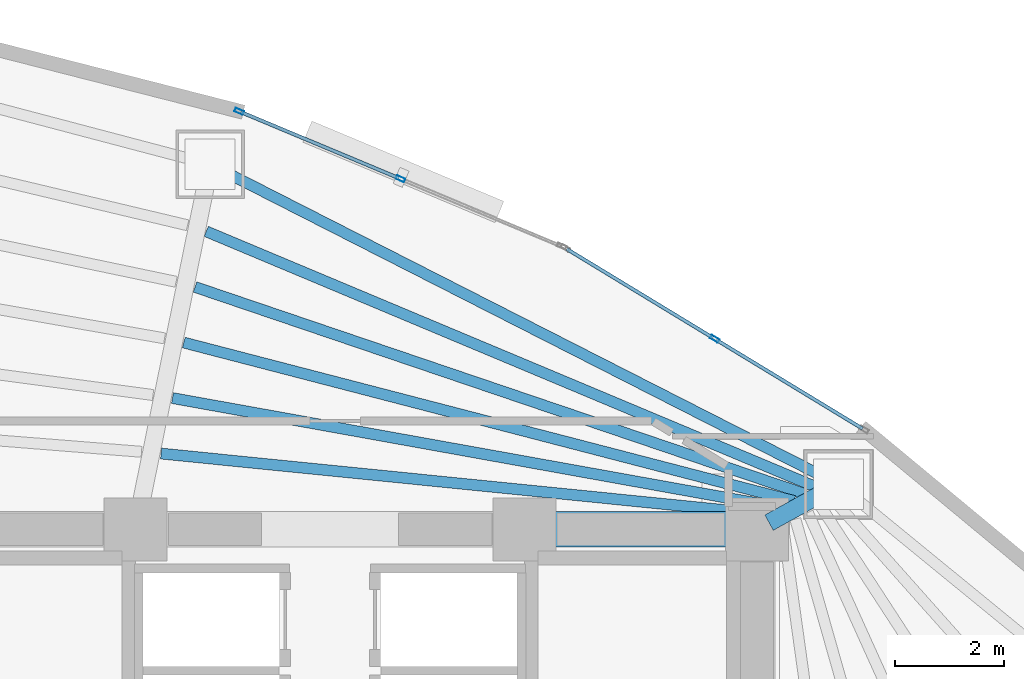
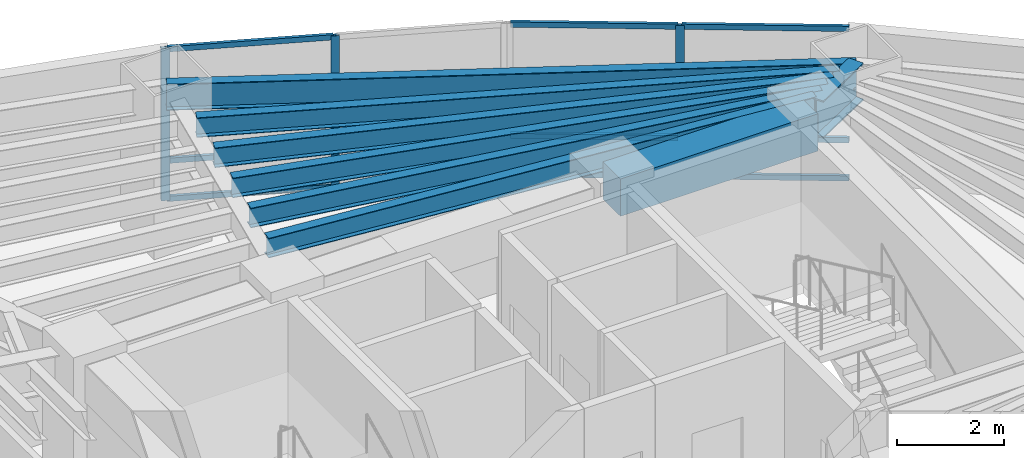
# One storey, part 9 of 16: 12 members, 8 beams, 2 elements without a shape of their own.
"""IFC4 building model written with IfcOpenShell, lengths in metres."""

from ifc_helpers import new_model, si_unit, direction, frame, origin, origin_2d, place, context, subcontext, project, spatial, rectangle, hollow_rectangle, i_section, extrude, material, layer, layer_set, material_profile, profile_set, type_object, element, aggregate, save


model = new_model("IFC4")

# Units and contexts
model_context = context("Model", 3, precision=1e-05, world=origin(), true_north=direction((0.0, 1.0)))
body_context = subcontext(model_context, "Body", "Model", "MODEL_VIEW")
ifc_project = project(units=[si_unit("LENGTHUNIT", "METRE"), si_unit("AREAUNIT", "SQUARE_METRE"), si_unit("VOLUMEUNIT", "CUBIC_METRE"), si_unit("PLANEANGLEUNIT", "RADIAN"), si_unit("MASSUNIT", "GRAM", prefix="KILO")], contexts=[model_context])

# Site, building, storey
site_placement = place(None, origin())
site = spatial("IfcSite", under=ifc_project, at=site_placement, CompositionType="ELEMENT")
building_placement = place(site_placement, origin())
building = spatial("IfcBuilding", under=site, at=building_placement, Name="Menara Vayukalpa", CompositionType="ELEMENT")
storey_placement = place(building_placement, frame((0.0, 0.0, 72.239990234375)))
storey = spatial("IfcBuildingStorey", under=building, at=storey_placement, Name="L17", CompositionType="ELEMENT", Elevation=72.239990234375)

# Beams
ifc_material_1 = material(Name="Concrete C60/75", Category="concrete")
ifc_material_profile_1 = material_profile(ifc_material_1, rectangle(XDim=0.64990234375, YDim=0.85009765625, at=origin_2d()), Name="RC 650x850")
ifc_profile_set_1 = profile_set([ifc_material_profile_1], Name="Concrete C60/75")
beam_type_1 = type_object("IfcBeamType", Name="BM-CB1", PredefinedType="BEAM", material=ifc_profile_set_1)
beam_1_placement = place(storey_placement, frame((29.14990234375, 26.800048828125, 3.044921875), z_axis=(1.0, 0.0, 0.0), x_axis=(0.0, 1.0, 0.0)))
element("IfcBeam", 1, at=beam_1_placement, inside=storey, type_object=beam_type_1, Name="L17 Core Tie Beam CBR6", PredefinedType="BEAM", context=body_context, shape_type="SweptSolid", body=[
    extrude(rectangle(XDim=0.64990234375, YDim=0.85009765625, at=origin_2d()), origin(), (0.0, 0.0, 1.0), 4.25),
])
ifc_material_2 = material(Name="Steel S355", Category="steel")
ifc_material_profile_2 = material_profile(ifc_material_2, i_section(OverallWidth=0.320068359375, OverallDepth=0.85009765625, WebThickness=0.01611328125, FlangeThickness=0.030029296875, at=origin_2d()), Name="WF 850x320x16x30")
ifc_profile_set_2 = profile_set([ifc_material_profile_2], Name="Steel S355")
beam_type_2 = type_object("IfcBeamType", Name="BM-PG2", PredefinedType="BEAM", material=ifc_profile_set_2)
beam_2_placement = place(storey_placement, frame((33.618896484375, 26.9208984375, 3.044921875), z_axis=(0.875228391676, 0.48370989488, 0.0), x_axis=(-0.48370989488, 0.875228391676, 0.0)))
element("IfcBeam", 2, at=beam_2_placement, inside=storey, type_object=beam_type_2, Name="L17 Primary Radial Girder RG02", PredefinedType="BEAM", context=body_context, shape_type="SweptSolid", body=[
    extrude(i_section(OverallWidth=0.320068359375, OverallDepth=0.85009765625, WebThickness=0.01611328125, FlangeThickness=0.030029296875, at=origin_2d()), origin(), (0.0, 0.0, 1.0), 1.448486328125),
])
ifc_material_3 = material(Name="Steel S355", Category="steel")
ifc_material_profile_3 = material_profile(ifc_material_3, i_section(OverallWidth=0.199951171875, OverallDepth=0.449951171875, WebThickness=0.009033203125, FlangeThickness=0.013916015625, at=origin_2d()), Name="WF 450x200x9x14")
ifc_profile_set_3 = profile_set([ifc_material_profile_3], Name="Steel S355")
beam_type_3 = type_object("IfcBeamType", Name="BM-SJ1", PredefinedType="JOIST", material=ifc_profile_set_3)
beam_3_placement = place(storey_placement, frame((33.66796875, 27.06494140625, 3.2451171875), z_axis=(-0.995012360471, 0.0997517043, 0.0), x_axis=(-0.0997517043, -0.995012360471, 0.0)))
element("IfcBeam", 3, at=beam_3_placement, inside=storey, type_object=beam_type_3, Name="L17 Secondary Floor Joist SJ02-1", PredefinedType="JOIST", context=body_context, shape_type="SweptSolid", body=[
    extrude(i_section(OverallWidth=0.199951171875, OverallDepth=0.449951171875, WebThickness=0.009033203125, FlangeThickness=0.013916015625, at=origin_2d()), origin(), (0.0, 0.0, 1.0), 11.20947265625),
])
beam_4_placement = place(storey_placement, frame((33.872802734375, 27.19091796875, 3.2451171875), z_axis=(-0.984203304908, 0.177041957199, 0.0), x_axis=(-0.177041957199, -0.984203304908, 0.0)))
element("IfcBeam", 4, at=beam_4_placement, inside=storey, type_object=beam_type_3, Name="L17 Secondary Floor Joist SJ02-2", PredefinedType="JOIST", context=body_context, shape_type="SweptSolid", body=[
    extrude(i_section(OverallWidth=0.199951171875, OverallDepth=0.449951171875, WebThickness=0.009033203125, FlangeThickness=0.013916015625, at=origin_2d()), origin(), (0.0, 0.0, 1.0), 11.329833984375),
])
beam_5_placement = place(storey_placement, frame((34.07861328125, 27.31640625, 3.2451171875), z_axis=(-0.9679190538, 0.25126222416, 0.0), x_axis=(-0.25126222416, -0.9679190538, 0.0)))
element("IfcBeam", 5, at=beam_5_placement, inside=storey, type_object=beam_type_3, Name="L17 Secondary Floor Joist SJ02-3", PredefinedType="JOIST", context=body_context, shape_type="SweptSolid", body=[
    extrude(i_section(OverallWidth=0.199951171875, OverallDepth=0.449951171875, WebThickness=0.009033203125, FlangeThickness=0.013916015625, at=origin_2d()), origin(), (0.0, 0.0, 1.0), 11.52001953125),
])
beam_6_placement = place(storey_placement, frame((34.28515625, 27.44140625, 3.2451171875), z_axis=(-0.946954817661, 0.321366727134, 0.0), x_axis=(-0.321366727134, -0.946954817661, 0.0)))
element("IfcBeam", 6, at=beam_6_placement, inside=storey, type_object=beam_type_3, Name="L17 Secondary Floor Joist SJ02-4", PredefinedType="JOIST", context=body_context, shape_type="SweptSolid", body=[
    extrude(i_section(OverallWidth=0.199951171875, OverallDepth=0.449951171875, WebThickness=0.009033203125, FlangeThickness=0.013916015625, at=origin_2d()), origin(), (0.0, 0.0, 1.0), 11.776123046875),
])
beam_7_placement = place(storey_placement, frame((34.49267578125, 27.565185546875, 3.2451171875), z_axis=(-0.922223639508, 0.386656900536, 0.0), x_axis=(-0.386656900536, -0.922223639508, 0.0)))
element("IfcBeam", 7, at=beam_7_placement, inside=storey, type_object=beam_type_3, Name="L17 Secondary Floor Joist SJ02-5", PredefinedType="JOIST", context=body_context, shape_type="SweptSolid", body=[
    extrude(i_section(OverallWidth=0.199951171875, OverallDepth=0.449951171875, WebThickness=0.009033203125, FlangeThickness=0.013916015625, at=origin_2d()), origin(), (0.0, 0.0, 1.0), 12.0947265625),
])
ifc_material_4 = material(Name="Steel S355", Category="steel")
ifc_material_profile_4 = material_profile(ifc_material_4, i_section(OverallWidth=0.199951171875, OverallDepth=0.60009765625, WebThickness=0.010986328125, FlangeThickness=0.01708984375, at=origin_2d()), Name="WF 600x200x11x17")
ifc_profile_set_4 = profile_set([ifc_material_profile_4], Name="Steel S355")
beam_type_4 = type_object("IfcBeamType", Name="BM-SP1", PredefinedType="SPANDREL", material=ifc_profile_set_4)
beam_8_placement = place(storey_placement, frame((34.88671875, 27.62158203125, 3.169921875), z_axis=(-0.891097345221, 0.453812209333, 0.0), x_axis=(-0.453812209333, -0.891097345221, 0.0)))
element("IfcBeam", 8, at=beam_8_placement, inside=storey, type_object=beam_type_4, Name="L17 Perimeter Spandrel Beam SP02", PredefinedType="SPANDREL", context=body_context, shape_type="SweptSolid", body=[
    extrude(i_section(OverallWidth=0.199951171875, OverallDepth=0.60009765625, WebThickness=0.010986328125, FlangeThickness=0.01708984375, at=origin_2d()), origin(), (0.0, 0.0, 1.0), 12.88134765625),
])

# Curtain wall, member
ifc_material_5 = material(Name="Anodised Terracotta Aluminium Alloy 6063-T6", Category="masonry")
ifc_layer = layer(ifc_material_5, 0.1650390625)
ifc_layer_set = layer_set([ifc_layer], Name="Anodised Terracotta Aluminium Alloy 6063-T6")
curtain_wall_type = type_object("IfcCurtainWallType", Name="CW-CW2", PredefinedType="USERDEFINED", material=ifc_layer_set)
curtain_wall_1_placement = place(storey_placement, origin())
curtain_wall_1 = element("IfcCurtainWall", 9, at=curtain_wall_1_placement, inside=storey, type_object=curtain_wall_type, Name="L17 Low Rise Terracotta Ribbon Curtain Wall CW2 04", ObjectType="UNITISED", PredefinedType="USERDEFINED")
ifc_material_6 = material(Name="Anodised Terracotta Aluminium Alloy 6063-T6", Category="masonry")
ifc_material_profile_5 = material_profile(ifc_material_6, hollow_rectangle(XDim=0.070068359375, YDim=0.1650390625, WallThickness=0.00390625, at=origin_2d()), Name="ALU 70x165x4")
ifc_profile_set_5 = profile_set([ifc_material_profile_5], Name="Anodised Terracotta Aluminium Alloy 6063-T6")
member_type_1 = type_object("IfcMemberType", Name="CWM-CW2", PredefinedType="MULLION", material=ifc_profile_set_5)
member_1_placement = place(storey_placement, frame((32.6259765625, 30.278564453125, 0.0), z_axis=(0.0, 0.0, 1.0), x_axis=(-0.519182959112, -0.854663123674, 0.0)))
member_1 = element("IfcMember", 10, at=member_1_placement, type_object=member_type_1, Name="CW2 mullion 2", PredefinedType="MULLION", context=body_context, shape_type="SweptSolid", body=[
    extrude(hollow_rectangle(XDim=0.070068359375, YDim=0.1650390625, WallThickness=0.00390625, at=origin_2d()), origin(), (0.0, 0.0, 1.0), 3.469970703125),
])

# Curtain wall, members
curtain_wall_2_placement = place(storey_placement, origin())
curtain_wall_2 = element("IfcCurtainWall", 11, at=curtain_wall_2_placement, inside=storey, type_object=curtain_wall_type, Name="L17 Low Rise Terracotta Ribbon Curtain Wall CW2 05", ObjectType="UNITISED", PredefinedType="USERDEFINED")
member_2_placement = place(storey_placement, frame((26.88671875, 33.201416015625, 0.0), z_axis=(0.0, 0.0, 1.0), x_axis=(-0.38589358437, -0.922543300632, 0.0)))
member_2 = element("IfcMember", 12, at=member_2_placement, type_object=member_type_1, Name="CW2 mullion 2", PredefinedType="MULLION", context=body_context, shape_type="SweptSolid", body=[
    extrude(hollow_rectangle(XDim=0.070068359375, YDim=0.1650390625, WallThickness=0.00390625, at=origin_2d()), origin(), (0.0, 0.0, 1.0), 3.469970703125),
])
member_3_placement = place(storey_placement, frame((23.939697265625, 34.43408203125, 0.0), z_axis=(0.0, 0.0, 1.0), x_axis=(-0.38589358437, -0.922543300632, 0.0)))
member_3 = element("IfcMember", 13, at=member_3_placement, type_object=member_type_1, Name="CW2 mullion 3", PredefinedType="MULLION", context=body_context, shape_type="SweptSolid", body=[
    extrude(hollow_rectangle(XDim=0.070068359375, YDim=0.1650390625, WallThickness=0.00390625, at=origin_2d()), origin(), (0.0, 0.0, 1.0), 3.469970703125),
])

# Member
ifc_material_7 = material(Name="Anodised Terracotta Aluminium Alloy 6063-T6", Category="masonry")
ifc_material_profile_6 = material_profile(ifc_material_7, hollow_rectangle(XDim=0.06494140625, YDim=0.1201171875, WallThickness=0.00341796875, at=origin_2d()), Name="ALU 65x120x3.5")
ifc_profile_set_6 = profile_set([ifc_material_profile_6], Name="Anodised Terracotta Aluminium Alloy 6063-T6")
member_type_2 = type_object("IfcMemberType", Name="CWT-CW2", PredefinedType="USERDEFINED", material=ifc_profile_set_6)
member_4_placement = place(storey_placement, frame((35.326171875, 28.63818359375, 0.032470703125), z_axis=(-0.854646359065, 0.519210555494, 0.0), x_axis=(-0.519210555494, -0.854646359065, 0.0)))
member_4 = element("IfcMember", 14, at=member_4_placement, type_object=member_type_2, Name="CW2 transom 1.1", ObjectType="TRANSOM", PredefinedType="USERDEFINED", context=body_context, shape_type="SweptSolid", body=[
    extrude(hollow_rectangle(XDim=0.06494140625, YDim=0.1201171875, WallThickness=0.00341796875, at=origin_2d()), origin(), (0.0, 0.0, 1.0), 3.12451171875),
])

member_5_placement = place(storey_placement, frame((35.326171875, 28.63818359375, 0.89990234375), z_axis=(-0.854646359065, 0.519210555494, 0.0), x_axis=(-0.519210555494, -0.854646359065, 0.0)))
member_5 = element("IfcMember", 15, at=member_5_placement, type_object=member_type_2, Name="CW2 transom 1.2", ObjectType="TRANSOM", PredefinedType="USERDEFINED", context=body_context, shape_type="SweptSolid", body=[
    extrude(hollow_rectangle(XDim=0.06494140625, YDim=0.1201171875, WallThickness=0.00341796875, at=origin_2d()), origin(), (0.0, 0.0, 1.0), 3.12451171875),
])

member_6_placement = place(storey_placement, frame((35.326171875, 28.63818359375, 3.4375), z_axis=(-0.854646359065, 0.519210555494, 0.0), x_axis=(-0.519210555494, -0.854646359065, 0.0)))
member_6 = element("IfcMember", 16, at=member_6_placement, type_object=member_type_2, Name="CW2 transom 1.3", ObjectType="TRANSOM", PredefinedType="USERDEFINED", context=body_context, shape_type="SweptSolid", body=[
    extrude(hollow_rectangle(XDim=0.06494140625, YDim=0.1201171875, WallThickness=0.00341796875, at=origin_2d()), origin(), (0.0, 0.0, 1.0), 3.12451171875),
])

member_7_placement = place(storey_placement, frame((32.595947265625, 30.296630859375, 0.032470703125), z_axis=(-0.854625293212, 0.519245229349, 0.0), x_axis=(-0.519245229349, -0.854625293212, 0.0)))
member_7 = element("IfcMember", 17, at=member_7_placement, type_object=member_type_2, Name="CW2 transom 2.1", ObjectType="TRANSOM", PredefinedType="USERDEFINED", context=body_context, shape_type="SweptSolid", body=[
    extrude(hollow_rectangle(XDim=0.06494140625, YDim=0.1201171875, WallThickness=0.00341796875, at=origin_2d()), origin(), (0.0, 0.0, 1.0), 3.124267578125),
])

member_8_placement = place(storey_placement, frame((32.595947265625, 30.296630859375, 0.89990234375), z_axis=(-0.854625293212, 0.519245229349, 0.0), x_axis=(-0.519245229349, -0.854625293212, 0.0)))
member_8 = element("IfcMember", 18, at=member_8_placement, type_object=member_type_2, Name="CW2 transom 2.2", ObjectType="TRANSOM", PredefinedType="USERDEFINED", context=body_context, shape_type="SweptSolid", body=[
    extrude(hollow_rectangle(XDim=0.06494140625, YDim=0.1201171875, WallThickness=0.00341796875, at=origin_2d()), origin(), (0.0, 0.0, 1.0), 3.124267578125),
])

member_9_placement = place(storey_placement, frame((32.595947265625, 30.296630859375, 3.4375), z_axis=(-0.854625293212, 0.519245229349, 0.0), x_axis=(-0.519245229349, -0.854625293212, 0.0)))
member_9 = element("IfcMember", 19, at=member_9_placement, type_object=member_type_2, Name="CW2 transom 2.3", ObjectType="TRANSOM", PredefinedType="USERDEFINED", context=body_context, shape_type="SweptSolid", body=[
    extrude(hollow_rectangle(XDim=0.06494140625, YDim=0.1201171875, WallThickness=0.00341796875, at=origin_2d()), origin(), (0.0, 0.0, 1.0), 3.124267578125),
])

aggregate(curtain_wall_1, [member_1, member_4, member_5, member_6, member_7, member_8, member_9])

member_10_placement = place(storey_placement, frame((26.854248046875, 33.21484375, 0.032470703125), z_axis=(-0.922525759021, 0.385935517856, 0.0), x_axis=(-0.385935517856, -0.922525759021, 0.0)))
member_10 = element("IfcMember", 20, at=member_10_placement, type_object=member_type_2, Name="CW2 transom 2.1", ObjectType="TRANSOM", PredefinedType="USERDEFINED", context=body_context, shape_type="SweptSolid", body=[
    extrude(hollow_rectangle(XDim=0.06494140625, YDim=0.1201171875, WallThickness=0.00341796875, at=origin_2d()), origin(), (0.0, 0.0, 1.0), 3.124267578125),
])

member_11_placement = place(storey_placement, frame((26.854248046875, 33.21484375, 0.89990234375), z_axis=(-0.922525759021, 0.385935517856, 0.0), x_axis=(-0.385935517856, -0.922525759021, 0.0)))
member_11 = element("IfcMember", 21, at=member_11_placement, type_object=member_type_2, Name="CW2 transom 2.2", ObjectType="TRANSOM", PredefinedType="USERDEFINED", context=body_context, shape_type="SweptSolid", body=[
    extrude(hollow_rectangle(XDim=0.06494140625, YDim=0.1201171875, WallThickness=0.00341796875, at=origin_2d()), origin(), (0.0, 0.0, 1.0), 3.124267578125),
])

member_12_placement = place(storey_placement, frame((26.854248046875, 33.21484375, 3.4375), z_axis=(-0.922525759021, 0.385935517856, 0.0), x_axis=(-0.385935517856, -0.922525759021, 0.0)))
member_12 = element("IfcMember", 22, at=member_12_placement, type_object=member_type_2, Name="CW2 transom 2.3", ObjectType="TRANSOM", PredefinedType="USERDEFINED", context=body_context, shape_type="SweptSolid", body=[
    extrude(hollow_rectangle(XDim=0.06494140625, YDim=0.1201171875, WallThickness=0.00341796875, at=origin_2d()), origin(), (0.0, 0.0, 1.0), 3.124267578125),
])

aggregate(curtain_wall_2, [member_2, member_3, member_10, member_11, member_12])

save(model, "model.ifc")
